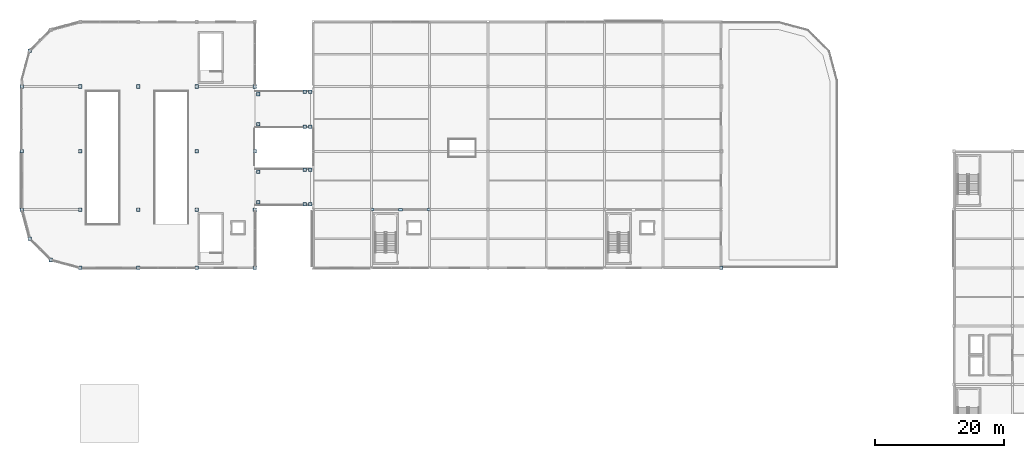
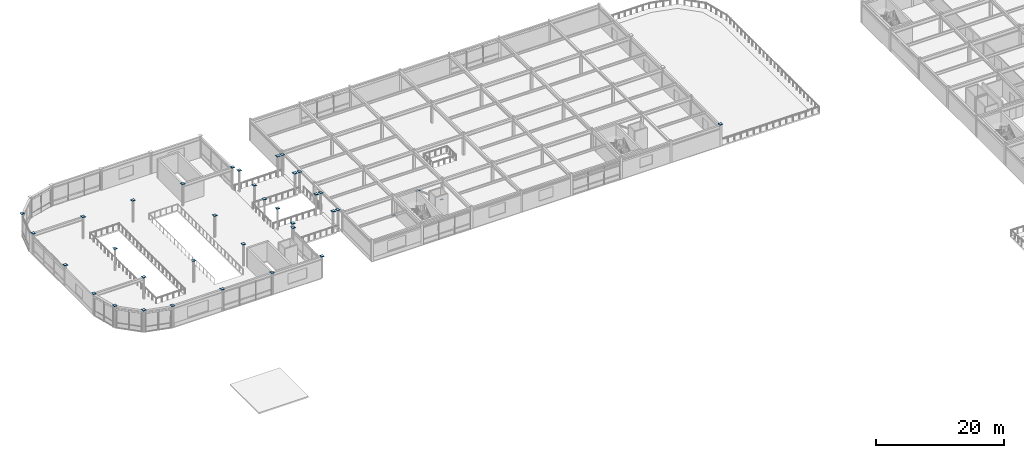
# One storey, part 34 of 53: 37 plates.
"""IFC4 building model written with IfcOpenShell, lengths in metres."""

from ifc_helpers import new_model, si_unit, direction, frame, origin, origin_2d, place, context, subcontext, project, spatial, rectangle, extrude, material, layer, layer_set, type_object, element, save


model = new_model("IFC4")

# Units and contexts
model_context = context("Model", 3, precision=1e-05, world=origin(), true_north=direction((0.0, 1.0)))
body_context = subcontext(model_context, "Body", "Model", "MODEL_VIEW")
ifc_project = project(units=[si_unit("LENGTHUNIT", "METRE"), si_unit("AREAUNIT", "SQUARE_METRE"), si_unit("VOLUMEUNIT", "CUBIC_METRE"), si_unit("PLANEANGLEUNIT", "RADIAN"), si_unit("MASSUNIT", "GRAM", prefix="KILO")], contexts=[model_context])

# Site, building, storey
site_placement = place(None, origin())
site = spatial("IfcSite", under=ifc_project, at=site_placement, CompositionType="ELEMENT")
building_placement = place(site_placement, origin())
building = spatial("IfcBuilding", under=site, at=building_placement, Name="Suzunagisa Mobility Hub", CompositionType="ELEMENT")
storey_placement = place(building_placement, frame((0.0, 0.0, 17.699951171875)))
storey = spatial("IfcBuildingStorey", under=building, at=storey_placement, Name="L04", CompositionType="ELEMENT", Elevation=17.699951171875)

# Plates
ifc_material = material(Name="Steel SN490B", Category="steel")
ifc_layer_1 = layer(ifc_material, 0.02392578125)
ifc_layer_set_1 = layer_set([ifc_layer_1], Name="Steel SN490B")
plate_type_1 = type_object("IfcPlateType", Name="Structural Steel Plate SP-01 550x550x24", PredefinedType="USERDEFINED", material=ifc_layer_set_1)
for number, where, z_axis, x_axis, name in (
    (1, (0.0, 89.0, 4.14013671875), (0.0, 0.0, 1.0), (1.0, 0.0, 0.0), "L04 Column Cap Plate CP-8"),
    (2, (0.0, 98.0, 4.14013671875), (0.0, 0.0, 1.0), (1.0, 0.0, 0.0), "L04 Column Cap Plate CP-9"),
    (3, (0.0, 108.0, 4.14013671875), (0.0, 0.0, 1.0), (1.0, 0.0, 0.0), "L04 Column Cap Plate CP-10"),
    (4, (1.205810546875, 84.5, 4.14013671875), (0.0, 0.0, 1.0), (1.0, 0.0, 0.0), "L04 Column Cap Plate CP-13"),
    (5, (1.205810546875, 113.5, 4.14013671875), (0.0, 0.0, 1.0), (1.0, 0.0, 0.0), "L04 Column Cap Plate CP-14"),
    (6, (4.5, 81.205810546875, 4.14013671875), (0.0, 0.0, 1.0), (1.0, 0.0, 0.0), "L04 Column Cap Plate CP-18"),
    (7, (9.0, 80.0, 4.14013671875), (0.0, 0.0, 1.0), (1.0, 0.0, 0.0), "L04 Column Cap Plate CP-28"),
    (8, (9.0, 89.0, 4.14013671875), (0.0, 0.0, 1.0), (1.0, 0.0, 0.0), "L04 Column Cap Plate CP-29"),
    (9, (9.0, 98.0, 4.14013671875), (0.0, 0.0, 1.0), (1.0, 0.0, 0.0), "L04 Column Cap Plate CP-30"),
    (10, (9.0, 108.0, 4.14013671875), (0.0, 0.0, 1.0), (1.0, 0.0, 0.0), "L04 Column Cap Plate CP-31"),
    (11, (18.0, 80.0, 4.14013671875), (0.0, 0.0, 1.0), (1.0, 0.0, 0.0), "L04 Column Cap Plate CP-50"),
    (12, (18.0, 89.0, 4.14013671875), (0.0, 0.0, 1.0), (1.0, 0.0, 0.0), "L04 Column Cap Plate CP-51"),
    (13, (18.0, 108.0, 4.14013671875), (0.0, 0.0, 1.0), (1.0, 0.0, 0.0), "L04 Column Cap Plate CP-52"),
    (14, (27.0, 80.0, 4.14013671875), (0.0, 0.0, 1.0), (1.0, 0.0, 0.0), "L04 Column Cap Plate CP-70"),
    (15, (27.0, 89.0, 4.14013671875), (0.0, 0.0, 1.0), (1.0, 0.0, 0.0), "L04 Column Cap Plate CP-71"),
    (16, (27.0, 98.0, 4.14013671875), (0.0, 0.0, 1.0), (1.0, 0.0, 0.0), "L04 Column Cap Plate CP-72"),
    (17, (27.0, 108.0, 4.14013671875), (0.0, 0.0, 1.0), (1.0, 0.0, 0.0), "L04 Column Cap Plate CP-73"),
    (18, (36.0, 80.0, 4.14013671875), (0.0, 0.0, 1.0), (1.0, 0.0, 0.0), "L04 Column Cap Plate CP-85"),
    (19, (36.0, 89.0, 4.14013671875), (0.0, 0.0, 1.0), (1.0, 0.0, 0.0), "L04 Column Cap Plate CP-86"),
    (20, (36.0, 98.0, 4.14013671875), (0.0, 0.0, 1.0), (1.0, 0.0, 0.0), "L04 Column Cap Plate CP-87"),
    (21, (36.0, 108.0, 4.14013671875), (0.0, 0.0, 1.0), (1.0, 0.0, 0.0), "L04 Column Cap Plate CP-88"),
    (22, (36.550048828125, 90.14990234375, 4.06005859375), (0.0, 0.0, 1.0), (1.0, 0.0, 0.0), "L04 Column Cap Plate CP-92"),
    (23, (36.550048828125, 94.85009765625, 4.06005859375), (0.0, 0.0, 1.0), (1.0, 0.0, 0.0), "L04 Column Cap Plate CP-93"),
    (24, (36.550048828125, 102.14990234375, 4.06005859375), (0.0, 0.0, 1.0), (1.0, 0.0, 0.0), "L04 Column Cap Plate CP-94"),
    (25, (36.550048828125, 106.85009765625, 4.06005859375), (0.0, 0.0, 1.0), (1.0, 0.0, 0.0), "L04 Column Cap Plate CP-95"),
    (26, (43.699951171875, 89.820068359375, 4.06005859375), (0.0, 0.0, 1.0), (1.0, 0.0, 0.0), "L04 Column Cap Plate CP-105"),
    (27, (43.699951171875, 95.179931640625, 4.06005859375), (0.0, 0.0, 1.0), (1.0, 0.0, 0.0), "L04 Column Cap Plate CP-106"),
    (28, (43.699951171875, 101.820068359375, 4.06005859375), (0.0, 0.0, 1.0), (1.0, 0.0, 0.0), "L04 Column Cap Plate CP-107"),
    (29, (43.699951171875, 107.179931640625, 4.06005859375), (0.0, 0.0, 1.0), (1.0, 0.0, 0.0), "L04 Column Cap Plate CP-108"),
    (30, (44.530029296875, 89.820068359375, 4.06005859375), (0.0, 0.0, 1.0), (1.0, 0.0, 0.0), "L04 Column Cap Plate CP-111"),
    (31, (44.530029296875, 95.179931640625, 4.06005859375), (0.0, 0.0, 1.0), (1.0, 0.0, 0.0), "L04 Column Cap Plate CP-112"),
    (32, (44.530029296875, 101.820068359375, 4.06005859375), (0.0, 0.0, 1.0), (1.0, 0.0, 0.0), "L04 Column Cap Plate CP-113"),
    (33, (44.530029296875, 107.179931640625, 4.06005859375), (0.0, 0.0, 1.0), (1.0, 0.0, 0.0), "L04 Column Cap Plate CP-114"),
    (34, (108.0, 80.0, 4.14013671875), (0.0, 0.0, 1.0), (1.0, 0.0, 0.0), "L04 Column Cap Plate CP-204"),
):
    element("IfcPlate", number, at=place(storey_placement, frame(where, z_axis=z_axis, x_axis=x_axis)), inside=storey, type_object=plate_type_1, Name=name, ObjectType="BASE PLATE", PredefinedType="USERDEFINED", context=body_context, shape_type="SweptSolid", body=[
        extrude(rectangle(XDim=0.550048828125, YDim=0.550048828125, at=origin_2d()), origin(), (0.0, 0.0, 1.0), 0.02392578125),
    ])
ifc_layer_2 = layer(ifc_material, 0.028076171875)
ifc_layer_set_2 = layer_set([ifc_layer_2], Name="Steel SN490B")
plate_type_2 = type_object("IfcPlateType", Name="Structural Steel Plate SP-04 480x320x28", PredefinedType="USERDEFINED", material=ifc_layer_set_2)
for number, where, z_axis, x_axis, name in (
    (35, (54.169921875, 89.0, 0.10595703125), (0.0, 0.0, 1.0), (1.0, 0.0, 0.0), "L04 Brace Foot Gusset Plate FGP-117.1"),
    (36, (62.830078125, 89.0, 0.10595703125), (0.0, 0.0, 1.0), (1.0, 0.0, 0.0), "L04 Brace Foot Gusset Plate FGP-117.2"),
):
    element("IfcPlate", number, at=place(storey_placement, frame(where, z_axis=z_axis, x_axis=x_axis)), inside=storey, type_object=plate_type_2, Name=name, ObjectType="GUSSET PLATE", PredefinedType="USERDEFINED", context=body_context, shape_type="SweptSolid", body=[
        extrude(rectangle(XDim=0.47998046875, YDim=0.320068359375, at=origin_2d()), origin(), (0.0, 0.0, 1.0), 0.028076171875),
    ])
ifc_layer_3 = layer(ifc_material, 0.028076171875)
ifc_layer_set_3 = layer_set([ifc_layer_3], Name="Steel SN490B")
plate_type_3 = type_object("IfcPlateType", Name="Structural Steel Plate SP-06 600x400x28", PredefinedType="USERDEFINED", material=ifc_layer_set_3)
plate_placement = place(storey_placement, frame((58.5, 89.0, 3.333984375), z_axis=(0.0, 0.0, 1.0), x_axis=(1.0, 0.0, 0.0)))
element("IfcPlate", 37, at=plate_placement, inside=storey, type_object=plate_type_3, Name="L04 Brace Apex Gusset GP-117", ObjectType="GUSSET PLATE", PredefinedType="USERDEFINED", context=body_context, shape_type="SweptSolid", body=[
    extrude(rectangle(XDim=0.60009765625, YDim=0.39990234375, at=origin_2d()), origin(), (0.0, 0.0, 1.0), 0.028076171875),
])

save(model, "model.ifc")
